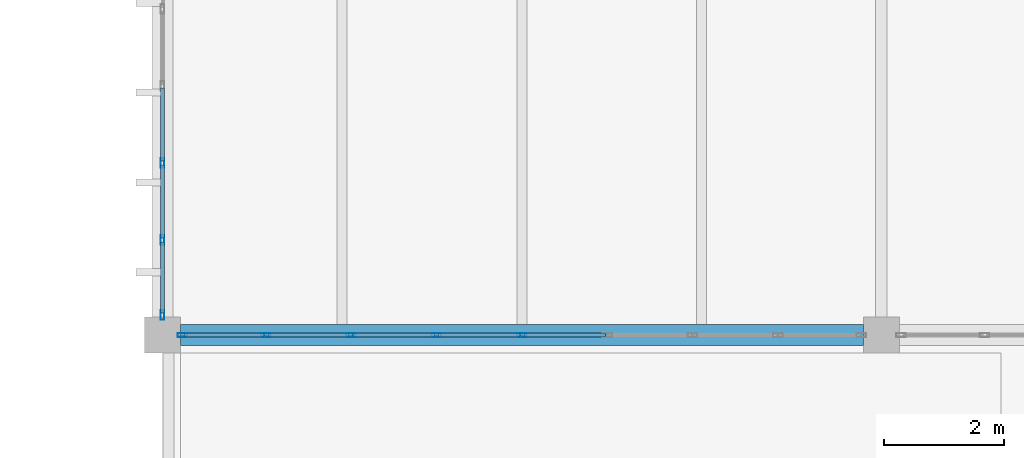
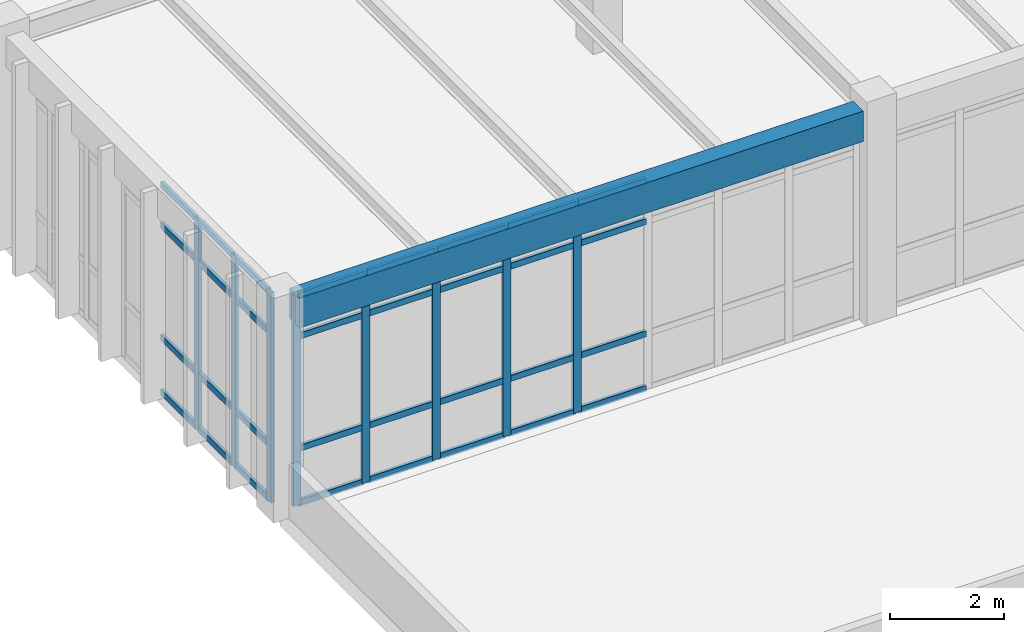
# One storey, part 113 of 236: 40 members, 1 beam, 2 elements without a shape of their own.
"""IFC4 building model written with IfcOpenShell, lengths in metres."""

from ifc_helpers import new_model, si_unit, direction, frame, origin, origin_2d, place, context, subcontext, project, spatial, rectangle, hollow_rectangle, extrude, material, layer, layer_set, material_profile, profile_set, type_object, element, aggregate, save


model = new_model("IFC4")

# Units and contexts
model_context = context("Model", 3, precision=1e-05, world=origin(), true_north=direction((0.0, 1.0)))
body_context = subcontext(model_context, "Body", "Model", "MODEL_VIEW")
ifc_project = project(units=[si_unit("LENGTHUNIT", "METRE"), si_unit("AREAUNIT", "SQUARE_METRE"), si_unit("VOLUMEUNIT", "CUBIC_METRE"), si_unit("PLANEANGLEUNIT", "RADIAN"), si_unit("MASSUNIT", "GRAM", prefix="KILO")], contexts=[model_context])

# Site, building, storey
site_placement = place(None, origin())
site = spatial("IfcSite", under=ifc_project, at=site_placement, CompositionType="ELEMENT")
building_placement = place(site_placement, origin())
building = spatial("IfcBuilding", under=site, at=building_placement, Name="Pandanus Reach Market Hall", CompositionType="ELEMENT")
storey_placement = place(building_placement, frame((0.0, 0.0, 5.39990234375)))
storey = spatial("IfcBuildingStorey", under=building, at=storey_placement, Name="L01", CompositionType="ELEMENT", Elevation=5.39990234375)

# Beam
ifc_material_1 = material(Name="Concrete N40 (40 MPa)", Category="concrete")
ifc_material_profile_1 = material_profile(ifc_material_1, rectangle(XDim=0.35009765625, YDim=0.64990234375, at=origin_2d()), Name="RC350x650", Category="LoadBearing")
ifc_profile_set_1 = profile_set([ifc_material_profile_1], Name="Concrete N40 (40 MPa)")
beam_type = type_object("IfcBeamType", Name="BM-RC350-E", PredefinedType="SPANDREL", material=ifc_profile_set_1)
beam_placement = place(storey_placement, frame((144.298095703125, 9.60009765625, 4.215087890625), z_axis=(1.0, 0.0, 0.0), x_axis=(0.0, 1.0, 0.0)))
element("IfcBeam", 1, at=beam_placement, inside=storey, type_object=beam_type, Name="Framing beam BM-RC350-E L01.306", PredefinedType="SPANDREL", context=body_context, shape_type="SweptSolid", body=[
    extrude(rectangle(XDim=0.35009765625, YDim=0.64990234375, at=origin_2d()), origin(), (0.0, 0.0, 1.0), 11.40380859375),
])

# Curtain wall, members
ifc_material_2 = material(Name="Bronze anodised aluminium and low-E glass", Category="aluminium")
ifc_layer_1 = layer(ifc_material_2, 0.159912109375, Name="CW-27")
ifc_layer_set_1 = layer_set([ifc_layer_1], Name="Bronze anodised aluminium and low-E glass")
curtain_wall_type_1 = type_object("IfcCurtainWallType", Name="CW-27", PredefinedType="NOTDEFINED", material=ifc_layer_set_1)
curtain_wall_1_placement = place(storey_placement, origin())
curtain_wall_1 = element("IfcCurtainWall", 2, at=curtain_wall_1_placement, inside=storey, type_object=curtain_wall_type_1, Name="Glazed curtain wall CW-27 CW-0082", PredefinedType="NOTDEFINED")
ifc_material_3 = material(Name="Bronze anodised aluminium", Category="aluminium")
ifc_material_profile_2 = material_profile(ifc_material_3, hollow_rectangle(XDim=0.06494140625, YDim=0.159912109375, WallThickness=0.00390625, at=origin_2d()), Name="ALU65x160", Category="LoadBearing")
ifc_profile_set_2 = profile_set([ifc_material_profile_2], Name="Bronze anodised aluminium")
member_type_1 = type_object("IfcMemberType", Name="CW-M1", PredefinedType="MULLION", material=ifc_profile_set_2)
member_1_placement = place(storey_placement, frame((144.33251953125, 9.60009765625, 0.0), z_axis=(0.0, 0.0, 1.0), x_axis=(0.0, 1.0, 0.0)))
member_1 = element("IfcMember", 3, at=member_1_placement, type_object=member_type_1, Name="CW-27 mullion 1", PredefinedType="MULLION", context=body_context, shape_type="SweptSolid", body=[
    extrude(hollow_rectangle(XDim=0.06494140625, YDim=0.159912109375, WallThickness=0.00390625, at=origin_2d()), origin(), (0.0, 0.0, 1.0), 4.5),
])
member_2_placement = place(storey_placement, frame((145.72509765625, 9.60009765625, 0.0), z_axis=(0.0, 0.0, 1.0), x_axis=(0.0, 1.0, 0.0)))
member_2 = element("IfcMember", 4, at=member_2_placement, type_object=member_type_1, Name="CW-27 mullion 2", PredefinedType="MULLION", context=body_context, shape_type="SweptSolid", body=[
    extrude(hollow_rectangle(XDim=0.06494140625, YDim=0.159912109375, WallThickness=0.00390625, at=origin_2d()), origin(), (0.0, 0.0, 1.0), 4.5),
])
member_3_placement = place(storey_placement, frame((147.14990234375, 9.60009765625, 0.0), z_axis=(0.0, 0.0, 1.0), x_axis=(0.0, 1.0, 0.0)))
member_3 = element("IfcMember", 5, at=member_3_placement, type_object=member_type_1, Name="CW-27 mullion 3", PredefinedType="MULLION", context=body_context, shape_type="SweptSolid", body=[
    extrude(hollow_rectangle(XDim=0.06494140625, YDim=0.159912109375, WallThickness=0.00390625, at=origin_2d()), origin(), (0.0, 0.0, 1.0), 4.5),
])
member_4_placement = place(storey_placement, frame((148.574951171875, 9.60009765625, 0.0), z_axis=(0.0, 0.0, 1.0), x_axis=(0.0, 1.0, 0.0)))
member_4 = element("IfcMember", 6, at=member_4_placement, type_object=member_type_1, Name="CW-27 mullion 4", PredefinedType="MULLION", context=body_context, shape_type="SweptSolid", body=[
    extrude(hollow_rectangle(XDim=0.06494140625, YDim=0.159912109375, WallThickness=0.00390625, at=origin_2d()), origin(), (0.0, 0.0, 1.0), 4.5),
])
member_5_placement = place(storey_placement, frame((150.0, 9.60009765625, 0.0), z_axis=(0.0, 0.0, 1.0), x_axis=(0.0, 1.0, 0.0)))
member_5 = element("IfcMember", 7, at=member_5_placement, type_object=member_type_1, Name="CW-27 mullion 5", PredefinedType="MULLION", context=body_context, shape_type="SweptSolid", body=[
    extrude(hollow_rectangle(XDim=0.06494140625, YDim=0.159912109375, WallThickness=0.00390625, at=origin_2d()), origin(), (0.0, 0.0, 1.0), 4.5),
])

ifc_layer_2 = layer(ifc_material_2, 0.159912109375, Name="CW-29")
ifc_layer_set_2 = layer_set([ifc_layer_2], Name="Bronze anodised aluminium and low-E glass")
curtain_wall_type_2 = type_object("IfcCurtainWallType", Name="CW-29", PredefinedType="NOTDEFINED", material=ifc_layer_set_2)
curtain_wall_2_placement = place(storey_placement, origin())
curtain_wall_2 = element("IfcCurtainWall", 8, at=curtain_wall_2_placement, inside=storey, type_object=curtain_wall_type_2, Name="Glazed curtain wall CW-29 CW-0091", PredefinedType="NOTDEFINED")
member_6_placement = place(storey_placement, frame((144.0, 9.9326171875, 0.0), z_axis=(0.0, 0.0, 1.0), x_axis=(-1.0, 0.0, 0.0)))
member_6 = element("IfcMember", 9, at=member_6_placement, type_object=member_type_1, Name="CW-29 mullion 1", PredefinedType="MULLION", context=body_context, shape_type="SweptSolid", body=[
    extrude(hollow_rectangle(XDim=0.06494140625, YDim=0.159912109375, WallThickness=0.00390625, at=origin_2d()), origin(), (0.0, 0.0, 1.0), 4.5),
])
member_7_placement = place(storey_placement, frame((144.0, 11.185791015625, 0.0), z_axis=(0.0, 0.0, 1.0), x_axis=(-1.0, 0.0, 0.0)))
member_7 = element("IfcMember", 10, at=member_7_placement, type_object=member_type_1, Name="CW-29 mullion 2", PredefinedType="MULLION", context=body_context, shape_type="SweptSolid", body=[
    extrude(hollow_rectangle(XDim=0.06494140625, YDim=0.159912109375, WallThickness=0.00390625, at=origin_2d()), origin(), (0.0, 0.0, 1.0), 4.5),
])
member_8_placement = place(storey_placement, frame((144.0, 12.471435546875, 0.0), z_axis=(0.0, 0.0, 1.0), x_axis=(-1.0, 0.0, 0.0)))
member_8 = element("IfcMember", 11, at=member_8_placement, type_object=member_type_1, Name="CW-29 mullion 3", PredefinedType="MULLION", context=body_context, shape_type="SweptSolid", body=[
    extrude(hollow_rectangle(XDim=0.06494140625, YDim=0.159912109375, WallThickness=0.00390625, at=origin_2d()), origin(), (0.0, 0.0, 1.0), 4.5),
])

# Member
ifc_material_profile_3 = material_profile(ifc_material_3, hollow_rectangle(XDim=0.06494140625, YDim=0.1298828125, WallThickness=0.00390625, at=origin_2d()), Name="ALU65x130", Category="LoadBearing")
ifc_profile_set_3 = profile_set([ifc_material_profile_3], Name="Bronze anodised aluminium")
member_type_2 = type_object("IfcMemberType", Name="CW-T1", PredefinedType="USERDEFINED", material=ifc_profile_set_3)
member_9_placement = place(storey_placement, frame((144.364990234375, 9.60009765625, 0.03271484375), z_axis=(1.0, 0.0, 0.0), x_axis=(0.0, 1.0, 0.0)))
member_9 = element("IfcMember", 12, at=member_9_placement, type_object=member_type_2, Name="CW-27 transom 1.1", ObjectType="TRANSOM", PredefinedType="USERDEFINED", context=body_context, shape_type="SweptSolid", body=[
    extrude(hollow_rectangle(XDim=0.06494140625, YDim=0.1298828125, WallThickness=0.00390625, at=origin_2d()), origin(), (0.0, 0.0, 1.0), 1.327392578125),
])

member_10_placement = place(storey_placement, frame((144.364990234375, 9.60009765625, 1.2001953125), z_axis=(1.0, 0.0, 0.0), x_axis=(0.0, 1.0, 0.0)))
member_10 = element("IfcMember", 13, at=member_10_placement, type_object=member_type_2, Name="CW-27 transom 1.2", ObjectType="TRANSOM", PredefinedType="USERDEFINED", context=body_context, shape_type="SweptSolid", body=[
    extrude(hollow_rectangle(XDim=0.06494140625, YDim=0.1298828125, WallThickness=0.00390625, at=origin_2d()), origin(), (0.0, 0.0, 1.0), 1.327392578125),
])

member_11_placement = place(storey_placement, frame((144.364990234375, 9.60009765625, 3.60009765625), z_axis=(1.0, 0.0, 0.0), x_axis=(0.0, 1.0, 0.0)))
member_11 = element("IfcMember", 14, at=member_11_placement, type_object=member_type_2, Name="CW-27 transom 1.3", ObjectType="TRANSOM", PredefinedType="USERDEFINED", context=body_context, shape_type="SweptSolid", body=[
    extrude(hollow_rectangle(XDim=0.06494140625, YDim=0.1298828125, WallThickness=0.00390625, at=origin_2d()), origin(), (0.0, 0.0, 1.0), 1.327392578125),
])

member_12_placement = place(storey_placement, frame((144.364990234375, 9.60009765625, 4.467529296875), z_axis=(1.0, 0.0, 0.0), x_axis=(0.0, 1.0, 0.0)))
member_12 = element("IfcMember", 15, at=member_12_placement, type_object=member_type_2, Name="CW-27 transom 1.4", ObjectType="TRANSOM", PredefinedType="USERDEFINED", context=body_context, shape_type="SweptSolid", body=[
    extrude(hollow_rectangle(XDim=0.06494140625, YDim=0.1298828125, WallThickness=0.00390625, at=origin_2d()), origin(), (0.0, 0.0, 1.0), 1.327392578125),
])

member_13_placement = place(storey_placement, frame((145.757568359375, 9.60009765625, 0.03271484375), z_axis=(1.0, 0.0, 0.0), x_axis=(0.0, 1.0, 0.0)))
member_13 = element("IfcMember", 16, at=member_13_placement, type_object=member_type_2, Name="CW-27 transom 2.1", ObjectType="TRANSOM", PredefinedType="USERDEFINED", context=body_context, shape_type="SweptSolid", body=[
    extrude(hollow_rectangle(XDim=0.06494140625, YDim=0.1298828125, WallThickness=0.00390625, at=origin_2d()), origin(), (0.0, 0.0, 1.0), 1.35986328125),
])

member_14_placement = place(storey_placement, frame((145.757568359375, 9.60009765625, 1.2001953125), z_axis=(1.0, 0.0, 0.0), x_axis=(0.0, 1.0, 0.0)))
member_14 = element("IfcMember", 17, at=member_14_placement, type_object=member_type_2, Name="CW-27 transom 2.2", ObjectType="TRANSOM", PredefinedType="USERDEFINED", context=body_context, shape_type="SweptSolid", body=[
    extrude(hollow_rectangle(XDim=0.06494140625, YDim=0.1298828125, WallThickness=0.00390625, at=origin_2d()), origin(), (0.0, 0.0, 1.0), 1.35986328125),
])

member_15_placement = place(storey_placement, frame((145.757568359375, 9.60009765625, 3.60009765625), z_axis=(1.0, 0.0, 0.0), x_axis=(0.0, 1.0, 0.0)))
member_15 = element("IfcMember", 18, at=member_15_placement, type_object=member_type_2, Name="CW-27 transom 2.3", ObjectType="TRANSOM", PredefinedType="USERDEFINED", context=body_context, shape_type="SweptSolid", body=[
    extrude(hollow_rectangle(XDim=0.06494140625, YDim=0.1298828125, WallThickness=0.00390625, at=origin_2d()), origin(), (0.0, 0.0, 1.0), 1.35986328125),
])

member_16_placement = place(storey_placement, frame((145.757568359375, 9.60009765625, 4.467529296875), z_axis=(1.0, 0.0, 0.0), x_axis=(0.0, 1.0, 0.0)))
member_16 = element("IfcMember", 19, at=member_16_placement, type_object=member_type_2, Name="CW-27 transom 2.4", ObjectType="TRANSOM", PredefinedType="USERDEFINED", context=body_context, shape_type="SweptSolid", body=[
    extrude(hollow_rectangle(XDim=0.06494140625, YDim=0.1298828125, WallThickness=0.00390625, at=origin_2d()), origin(), (0.0, 0.0, 1.0), 1.35986328125),
])

member_17_placement = place(storey_placement, frame((147.1826171875, 9.60009765625, 0.03271484375), z_axis=(1.0, 0.0, 0.0), x_axis=(0.0, 1.0, 0.0)))
member_17 = element("IfcMember", 20, at=member_17_placement, type_object=member_type_2, Name="CW-27 transom 3.1", ObjectType="TRANSOM", PredefinedType="USERDEFINED", context=body_context, shape_type="SweptSolid", body=[
    extrude(hollow_rectangle(XDim=0.06494140625, YDim=0.1298828125, WallThickness=0.00390625, at=origin_2d()), origin(), (0.0, 0.0, 1.0), 1.35986328125),
])

member_18_placement = place(storey_placement, frame((147.1826171875, 9.60009765625, 1.2001953125), z_axis=(1.0, 0.0, 0.0), x_axis=(0.0, 1.0, 0.0)))
member_18 = element("IfcMember", 21, at=member_18_placement, type_object=member_type_2, Name="CW-27 transom 3.2", ObjectType="TRANSOM", PredefinedType="USERDEFINED", context=body_context, shape_type="SweptSolid", body=[
    extrude(hollow_rectangle(XDim=0.06494140625, YDim=0.1298828125, WallThickness=0.00390625, at=origin_2d()), origin(), (0.0, 0.0, 1.0), 1.35986328125),
])

member_19_placement = place(storey_placement, frame((147.1826171875, 9.60009765625, 3.60009765625), z_axis=(1.0, 0.0, 0.0), x_axis=(0.0, 1.0, 0.0)))
member_19 = element("IfcMember", 22, at=member_19_placement, type_object=member_type_2, Name="CW-27 transom 3.3", ObjectType="TRANSOM", PredefinedType="USERDEFINED", context=body_context, shape_type="SweptSolid", body=[
    extrude(hollow_rectangle(XDim=0.06494140625, YDim=0.1298828125, WallThickness=0.00390625, at=origin_2d()), origin(), (0.0, 0.0, 1.0), 1.35986328125),
])

member_20_placement = place(storey_placement, frame((147.1826171875, 9.60009765625, 4.467529296875), z_axis=(1.0, 0.0, 0.0), x_axis=(0.0, 1.0, 0.0)))
member_20 = element("IfcMember", 23, at=member_20_placement, type_object=member_type_2, Name="CW-27 transom 3.4", ObjectType="TRANSOM", PredefinedType="USERDEFINED", context=body_context, shape_type="SweptSolid", body=[
    extrude(hollow_rectangle(XDim=0.06494140625, YDim=0.1298828125, WallThickness=0.00390625, at=origin_2d()), origin(), (0.0, 0.0, 1.0), 1.35986328125),
])

member_21_placement = place(storey_placement, frame((148.607421875, 9.60009765625, 0.03271484375), z_axis=(1.0, 0.0, 0.0), x_axis=(0.0, 1.0, 0.0)))
member_21 = element("IfcMember", 24, at=member_21_placement, type_object=member_type_2, Name="CW-27 transom 4.1", ObjectType="TRANSOM", PredefinedType="USERDEFINED", context=body_context, shape_type="SweptSolid", body=[
    extrude(hollow_rectangle(XDim=0.06494140625, YDim=0.1298828125, WallThickness=0.00390625, at=origin_2d()), origin(), (0.0, 0.0, 1.0), 1.360107421875),
])

member_22_placement = place(storey_placement, frame((148.607421875, 9.60009765625, 1.2001953125), z_axis=(1.0, 0.0, 0.0), x_axis=(0.0, 1.0, 0.0)))
member_22 = element("IfcMember", 25, at=member_22_placement, type_object=member_type_2, Name="CW-27 transom 4.2", ObjectType="TRANSOM", PredefinedType="USERDEFINED", context=body_context, shape_type="SweptSolid", body=[
    extrude(hollow_rectangle(XDim=0.06494140625, YDim=0.1298828125, WallThickness=0.00390625, at=origin_2d()), origin(), (0.0, 0.0, 1.0), 1.360107421875),
])

member_23_placement = place(storey_placement, frame((148.607421875, 9.60009765625, 3.60009765625), z_axis=(1.0, 0.0, 0.0), x_axis=(0.0, 1.0, 0.0)))
member_23 = element("IfcMember", 26, at=member_23_placement, type_object=member_type_2, Name="CW-27 transom 4.3", ObjectType="TRANSOM", PredefinedType="USERDEFINED", context=body_context, shape_type="SweptSolid", body=[
    extrude(hollow_rectangle(XDim=0.06494140625, YDim=0.1298828125, WallThickness=0.00390625, at=origin_2d()), origin(), (0.0, 0.0, 1.0), 1.360107421875),
])

member_24_placement = place(storey_placement, frame((148.607421875, 9.60009765625, 4.467529296875), z_axis=(1.0, 0.0, 0.0), x_axis=(0.0, 1.0, 0.0)))
member_24 = element("IfcMember", 27, at=member_24_placement, type_object=member_type_2, Name="CW-27 transom 4.4", ObjectType="TRANSOM", PredefinedType="USERDEFINED", context=body_context, shape_type="SweptSolid", body=[
    extrude(hollow_rectangle(XDim=0.06494140625, YDim=0.1298828125, WallThickness=0.00390625, at=origin_2d()), origin(), (0.0, 0.0, 1.0), 1.360107421875),
])

member_25_placement = place(storey_placement, frame((150.032470703125, 9.60009765625, 0.03271484375), z_axis=(1.0, 0.0, 0.0), x_axis=(0.0, 1.0, 0.0)))
member_25 = element("IfcMember", 28, at=member_25_placement, type_object=member_type_2, Name="CW-27 transom 5.1", ObjectType="TRANSOM", PredefinedType="USERDEFINED", context=body_context, shape_type="SweptSolid", body=[
    extrude(hollow_rectangle(XDim=0.06494140625, YDim=0.1298828125, WallThickness=0.00390625, at=origin_2d()), origin(), (0.0, 0.0, 1.0), 1.360107421875),
])

member_26_placement = place(storey_placement, frame((150.032470703125, 9.60009765625, 1.2001953125), z_axis=(1.0, 0.0, 0.0), x_axis=(0.0, 1.0, 0.0)))
member_26 = element("IfcMember", 29, at=member_26_placement, type_object=member_type_2, Name="CW-27 transom 5.2", ObjectType="TRANSOM", PredefinedType="USERDEFINED", context=body_context, shape_type="SweptSolid", body=[
    extrude(hollow_rectangle(XDim=0.06494140625, YDim=0.1298828125, WallThickness=0.00390625, at=origin_2d()), origin(), (0.0, 0.0, 1.0), 1.360107421875),
])

member_27_placement = place(storey_placement, frame((150.032470703125, 9.60009765625, 3.60009765625), z_axis=(1.0, 0.0, 0.0), x_axis=(0.0, 1.0, 0.0)))
member_27 = element("IfcMember", 30, at=member_27_placement, type_object=member_type_2, Name="CW-27 transom 5.3", ObjectType="TRANSOM", PredefinedType="USERDEFINED", context=body_context, shape_type="SweptSolid", body=[
    extrude(hollow_rectangle(XDim=0.06494140625, YDim=0.1298828125, WallThickness=0.00390625, at=origin_2d()), origin(), (0.0, 0.0, 1.0), 1.360107421875),
])

member_28_placement = place(storey_placement, frame((150.032470703125, 9.60009765625, 4.467529296875), z_axis=(1.0, 0.0, 0.0), x_axis=(0.0, 1.0, 0.0)))
member_28 = element("IfcMember", 31, at=member_28_placement, type_object=member_type_2, Name="CW-27 transom 5.4", ObjectType="TRANSOM", PredefinedType="USERDEFINED", context=body_context, shape_type="SweptSolid", body=[
    extrude(hollow_rectangle(XDim=0.06494140625, YDim=0.1298828125, WallThickness=0.00390625, at=origin_2d()), origin(), (0.0, 0.0, 1.0), 1.360107421875),
])

aggregate(curtain_wall_1, [member_1, member_2, member_3, member_4, member_5, member_9, member_10, member_11, member_12, member_13, member_14, member_15, member_16, member_17, member_18, member_19, member_20, member_21, member_22, member_23, member_24, member_25, member_26, member_27, member_28])

member_29_placement = place(storey_placement, frame((144.0, 9.965087890625, 0.03271484375), z_axis=(0.0, 1.0, 0.0), x_axis=(-1.0, 0.0, 0.0)))
member_29 = element("IfcMember", 32, at=member_29_placement, type_object=member_type_2, Name="CW-29 transom 1.1", ObjectType="TRANSOM", PredefinedType="USERDEFINED", context=body_context, shape_type="SweptSolid", body=[
    extrude(hollow_rectangle(XDim=0.06494140625, YDim=0.1298828125, WallThickness=0.00390625, at=origin_2d()), origin(), (0.0, 0.0, 1.0), 1.188232421875),
])

member_30_placement = place(storey_placement, frame((144.0, 9.965087890625, 1.2001953125), z_axis=(0.0, 1.0, 0.0), x_axis=(-1.0, 0.0, 0.0)))
member_30 = element("IfcMember", 33, at=member_30_placement, type_object=member_type_2, Name="CW-29 transom 1.2", ObjectType="TRANSOM", PredefinedType="USERDEFINED", context=body_context, shape_type="SweptSolid", body=[
    extrude(hollow_rectangle(XDim=0.06494140625, YDim=0.1298828125, WallThickness=0.00390625, at=origin_2d()), origin(), (0.0, 0.0, 1.0), 1.188232421875),
])

member_31_placement = place(storey_placement, frame((144.0, 9.965087890625, 3.60009765625), z_axis=(0.0, 1.0, 0.0), x_axis=(-1.0, 0.0, 0.0)))
member_31 = element("IfcMember", 34, at=member_31_placement, type_object=member_type_2, Name="CW-29 transom 1.3", ObjectType="TRANSOM", PredefinedType="USERDEFINED", context=body_context, shape_type="SweptSolid", body=[
    extrude(hollow_rectangle(XDim=0.06494140625, YDim=0.1298828125, WallThickness=0.00390625, at=origin_2d()), origin(), (0.0, 0.0, 1.0), 1.188232421875),
])

member_32_placement = place(storey_placement, frame((144.0, 9.965087890625, 4.467529296875), z_axis=(0.0, 1.0, 0.0), x_axis=(-1.0, 0.0, 0.0)))
member_32 = element("IfcMember", 35, at=member_32_placement, type_object=member_type_2, Name="CW-29 transom 1.4", ObjectType="TRANSOM", PredefinedType="USERDEFINED", context=body_context, shape_type="SweptSolid", body=[
    extrude(hollow_rectangle(XDim=0.06494140625, YDim=0.1298828125, WallThickness=0.00390625, at=origin_2d()), origin(), (0.0, 0.0, 1.0), 1.188232421875),
])

member_33_placement = place(storey_placement, frame((144.0, 11.21826171875, 0.03271484375), z_axis=(0.0, 1.0, 0.0), x_axis=(-1.0, 0.0, 0.0)))
member_33 = element("IfcMember", 36, at=member_33_placement, type_object=member_type_2, Name="CW-29 transom 2.1", ObjectType="TRANSOM", PredefinedType="USERDEFINED", context=body_context, shape_type="SweptSolid", body=[
    extrude(hollow_rectangle(XDim=0.06494140625, YDim=0.1298828125, WallThickness=0.00390625, at=origin_2d()), origin(), (0.0, 0.0, 1.0), 1.220703125),
])

member_34_placement = place(storey_placement, frame((144.0, 11.21826171875, 1.2001953125), z_axis=(0.0, 1.0, 0.0), x_axis=(-1.0, 0.0, 0.0)))
member_34 = element("IfcMember", 37, at=member_34_placement, type_object=member_type_2, Name="CW-29 transom 2.2", ObjectType="TRANSOM", PredefinedType="USERDEFINED", context=body_context, shape_type="SweptSolid", body=[
    extrude(hollow_rectangle(XDim=0.06494140625, YDim=0.1298828125, WallThickness=0.00390625, at=origin_2d()), origin(), (0.0, 0.0, 1.0), 1.220703125),
])

member_35_placement = place(storey_placement, frame((144.0, 11.21826171875, 3.60009765625), z_axis=(0.0, 1.0, 0.0), x_axis=(-1.0, 0.0, 0.0)))
member_35 = element("IfcMember", 38, at=member_35_placement, type_object=member_type_2, Name="CW-29 transom 2.3", ObjectType="TRANSOM", PredefinedType="USERDEFINED", context=body_context, shape_type="SweptSolid", body=[
    extrude(hollow_rectangle(XDim=0.06494140625, YDim=0.1298828125, WallThickness=0.00390625, at=origin_2d()), origin(), (0.0, 0.0, 1.0), 1.220703125),
])

member_36_placement = place(storey_placement, frame((144.0, 11.21826171875, 4.467529296875), z_axis=(0.0, 1.0, 0.0), x_axis=(-1.0, 0.0, 0.0)))
member_36 = element("IfcMember", 39, at=member_36_placement, type_object=member_type_2, Name="CW-29 transom 2.4", ObjectType="TRANSOM", PredefinedType="USERDEFINED", context=body_context, shape_type="SweptSolid", body=[
    extrude(hollow_rectangle(XDim=0.06494140625, YDim=0.1298828125, WallThickness=0.00390625, at=origin_2d()), origin(), (0.0, 0.0, 1.0), 1.220703125),
])

member_37_placement = place(storey_placement, frame((144.0, 12.50390625, 0.03271484375), z_axis=(0.0, 1.0, 0.0), x_axis=(-1.0, 0.0, 0.0)))
member_37 = element("IfcMember", 40, at=member_37_placement, type_object=member_type_2, Name="CW-29 transom 3.1", ObjectType="TRANSOM", PredefinedType="USERDEFINED", context=body_context, shape_type="SweptSolid", body=[
    extrude(hollow_rectangle(XDim=0.06494140625, YDim=0.1298828125, WallThickness=0.00390625, at=origin_2d()), origin(), (0.0, 0.0, 1.0), 1.220703125),
])

member_38_placement = place(storey_placement, frame((144.0, 12.50390625, 1.2001953125), z_axis=(0.0, 1.0, 0.0), x_axis=(-1.0, 0.0, 0.0)))
member_38 = element("IfcMember", 41, at=member_38_placement, type_object=member_type_2, Name="CW-29 transom 3.2", ObjectType="TRANSOM", PredefinedType="USERDEFINED", context=body_context, shape_type="SweptSolid", body=[
    extrude(hollow_rectangle(XDim=0.06494140625, YDim=0.1298828125, WallThickness=0.00390625, at=origin_2d()), origin(), (0.0, 0.0, 1.0), 1.220703125),
])

member_39_placement = place(storey_placement, frame((144.0, 12.50390625, 3.60009765625), z_axis=(0.0, 1.0, 0.0), x_axis=(-1.0, 0.0, 0.0)))
member_39 = element("IfcMember", 42, at=member_39_placement, type_object=member_type_2, Name="CW-29 transom 3.3", ObjectType="TRANSOM", PredefinedType="USERDEFINED", context=body_context, shape_type="SweptSolid", body=[
    extrude(hollow_rectangle(XDim=0.06494140625, YDim=0.1298828125, WallThickness=0.00390625, at=origin_2d()), origin(), (0.0, 0.0, 1.0), 1.220703125),
])

member_40_placement = place(storey_placement, frame((144.0, 12.50390625, 4.467529296875), z_axis=(0.0, 1.0, 0.0), x_axis=(-1.0, 0.0, 0.0)))
member_40 = element("IfcMember", 43, at=member_40_placement, type_object=member_type_2, Name="CW-29 transom 3.4", ObjectType="TRANSOM", PredefinedType="USERDEFINED", context=body_context, shape_type="SweptSolid", body=[
    extrude(hollow_rectangle(XDim=0.06494140625, YDim=0.1298828125, WallThickness=0.00390625, at=origin_2d()), origin(), (0.0, 0.0, 1.0), 1.220703125),
])

aggregate(curtain_wall_2, [member_6, member_7, member_8, member_29, member_30, member_31, member_32, member_33, member_34, member_35, member_36, member_37, member_38, member_39, member_40])

save(model, "model.ifc")
